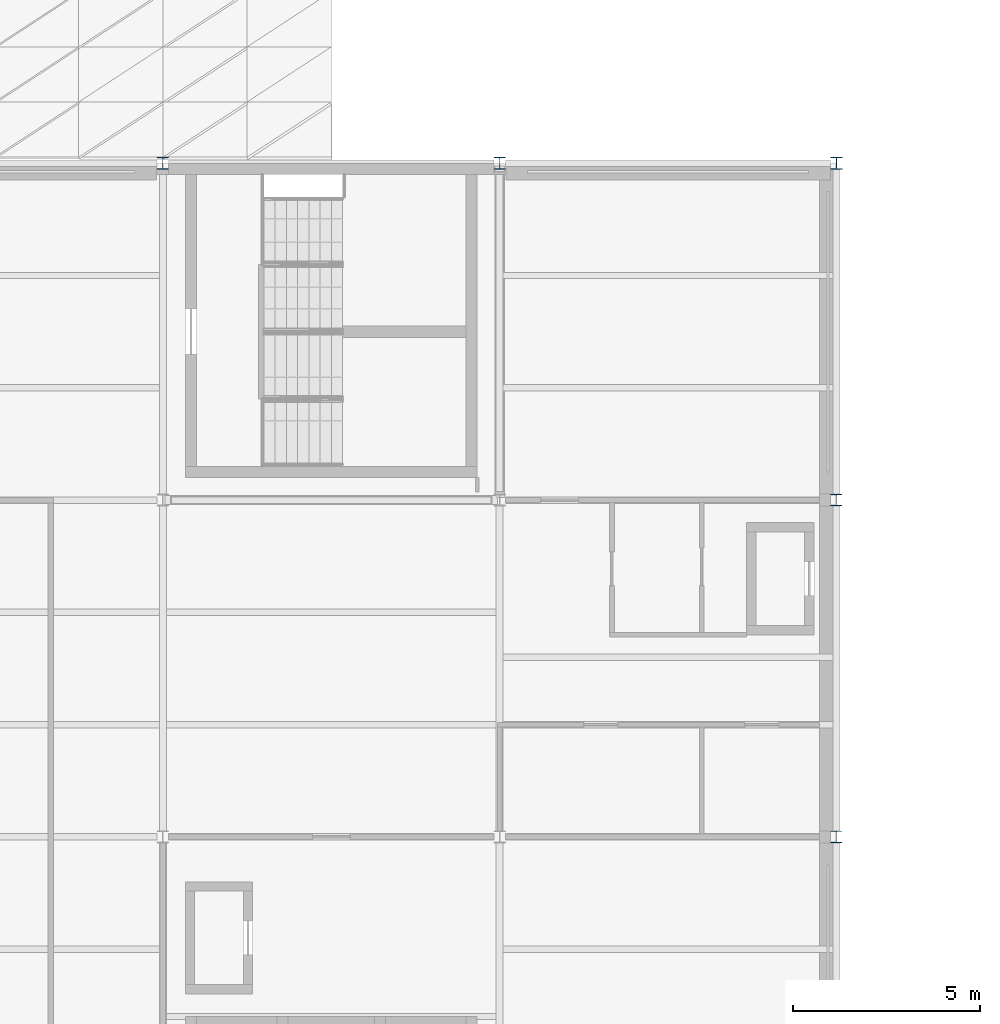
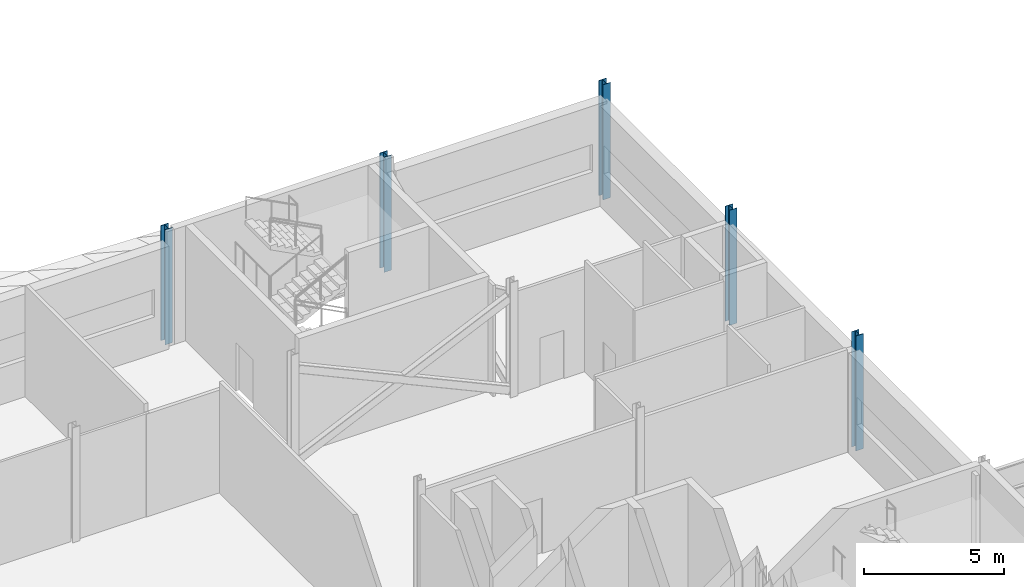
# One storey, part 14 of 112: 5 columns.
"""IFC4 building model written with IfcOpenShell, lengths in metres."""

from ifc_helpers import new_model, si_unit, direction, frame, origin, origin_2d, place, context, subcontext, project, spatial, i_section, extrude, material, material_profile, profile_set, type_object, element, save


model = new_model("IFC4")

# Units and contexts
model_context = context("Model", 3, precision=1e-05, world=origin(), true_north=direction((0.0, 1.0)))
body_context = subcontext(model_context, "Body", "Model", "MODEL_VIEW")
ifc_project = project(units=[si_unit("LENGTHUNIT", "METRE"), si_unit("AREAUNIT", "SQUARE_METRE"), si_unit("VOLUMEUNIT", "CUBIC_METRE"), si_unit("PLANEANGLEUNIT", "RADIAN"), si_unit("MASSUNIT", "GRAM", prefix="KILO")], contexts=[model_context])

# Site, building, storey
site_placement = place(None, origin())
site = spatial("IfcSite", under=ifc_project, at=site_placement, CompositionType="ELEMENT")
building_placement = place(site_placement, origin())
building = spatial("IfcBuilding", under=site, at=building_placement, Name="Shorebreak Coast Museum", CompositionType="ELEMENT")
storey_placement = place(building_placement, frame((0.0, 0.0, 6.0)))
storey = spatial("IfcBuildingStorey", under=building, at=storey_placement, Name="L01", CompositionType="ELEMENT", Elevation=6.0)

# Columns
ifc_material_1 = material(Name="Steel Grade 300", Category="steel")
ifc_material_profile_1 = material_profile(ifc_material_1, i_section(OverallWidth=0.30908203125, OverallDepth=0.320556640625, WebThickness=0.013916015625, FlangeThickness=0.021728515625, FilletRadius=0.0166015625, at=origin_2d()), Name="310UC137")
ifc_profile_set_1 = profile_set([ifc_material_profile_1], Name="Steel Grade 300")
column_type_1 = type_object("IfcColumnType", Name="Column 310UC137", PredefinedType="COLUMN", material=ifc_profile_set_1)
for number, where, z_axis, x_axis, name in (
    (1, (117.0, 99.0, 0.0), (0.0, 0.0, 1.0), (1.0, 0.0, 0.0), "Column L01 14M"),
    (2, (117.0, 108.0, 0.0), (0.0, 0.0, 1.0), (1.0, 0.0, 0.0), "Column L01 14N"),
):
    element("IfcColumn", number, at=place(storey_placement, frame(where, z_axis=z_axis, x_axis=x_axis)), inside=storey, type_object=column_type_1, Name=name, PredefinedType="COLUMN", context=body_context, shape_type="SweptSolid", body=[
        extrude(i_section(OverallWidth=0.30908203125, OverallDepth=0.320556640625, WebThickness=0.013916015625, FlangeThickness=0.021728515625, FilletRadius=0.0166015625, at=origin_2d()), origin(), (0.0, 0.0, 1.0), 5.0),
    ])
ifc_material_2 = material(Name="Steel Grade 300", Category="steel")
ifc_material_profile_2 = material_profile(ifc_material_2, i_section(OverallWidth=0.31103515625, OverallDepth=0.3271484375, WebThickness=0.015625, FlangeThickness=0.02490234375, FilletRadius=0.0166015625, at=origin_2d()), Name="310UC158")
ifc_profile_set_2 = profile_set([ifc_material_profile_2], Name="Steel Grade 300")
column_type_2 = type_object("IfcColumnType", Name="Column 310UC158", PredefinedType="COLUMN", material=ifc_profile_set_2)
for number, where, z_axis, x_axis, name in (
    (3, (99.0, 117.0, 0.0), (0.0, 0.0, 1.0), (1.0, 0.0, 0.0), "Column L01 12P"),
    (4, (108.0, 117.0, 0.0), (0.0, 0.0, 1.0), (1.0, 0.0, 0.0), "Column L01 13P"),
    (5, (117.0, 117.0, 0.0), (0.0, 0.0, 1.0), (1.0, 0.0, 0.0), "Column L01 14P"),
):
    element("IfcColumn", number, at=place(storey_placement, frame(where, z_axis=z_axis, x_axis=x_axis)), inside=storey, type_object=column_type_2, Name=name, PredefinedType="COLUMN", context=body_context, shape_type="SweptSolid", body=[
        extrude(i_section(OverallWidth=0.31103515625, OverallDepth=0.3271484375, WebThickness=0.015625, FlangeThickness=0.02490234375, FilletRadius=0.0166015625, at=origin_2d()), origin(), (0.0, 0.0, 1.0), 5.0),
    ])

save(model, "model.ifc")
